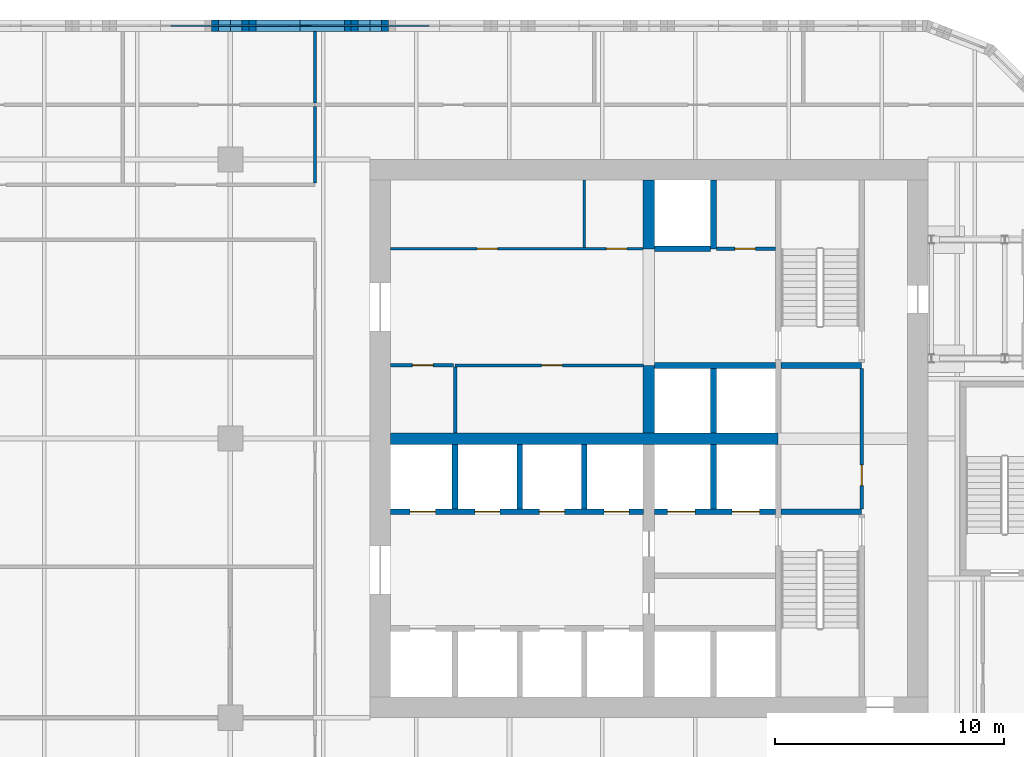
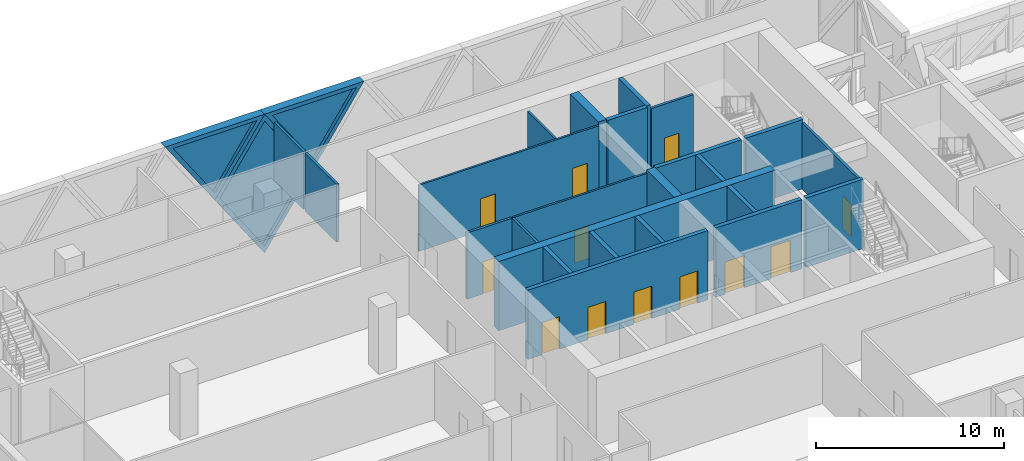
# One storey, part 17 of 30: 27 walls, 12 doors, 3 plates, 15 openings.
"""IFC4 building model written with IfcOpenShell, lengths in metres."""

from ifc_helpers import new_model, si_unit, direction, frame, frame_2d, origin, place, context, subcontext, project, spatial, polyline, rectangle, outline, extrude, faceted_brep, source, transform, mapped, material, layer, layer_set, type_object, element, fill, save


model = new_model("IFC4")

# Units and contexts
model_context = context("Model", 3, precision=1e-05, world=origin(), true_north=direction((0.0, 1.0)))
body_context = subcontext(model_context, "Body", "Model", "MODEL_VIEW")
ifc_project = project(units=[si_unit("LENGTHUNIT", "METRE"), si_unit("AREAUNIT", "SQUARE_METRE"), si_unit("VOLUMEUNIT", "CUBIC_METRE"), si_unit("PLANEANGLEUNIT", "RADIAN"), si_unit("MASSUNIT", "GRAM", prefix="KILO")], contexts=[model_context])

# Site, building, storey
site_placement = place(None, origin())
site = spatial("IfcSite", under=ifc_project, at=site_placement, CompositionType="ELEMENT")
building_placement = place(site_placement, origin())
building = spatial("IfcBuilding", under=site, at=building_placement, Name="Tessera Gate Towers", CompositionType="ELEMENT")
storey_placement = place(building_placement, frame((0.0, 0.0, 21.300048828125)))
storey = spatial("IfcBuildingStorey", under=building, at=storey_placement, Name="L04", CompositionType="ELEMENT", Elevation=21.300048828125)

# Wall, openings, doors
ifc_material_1 = material(Name="Concrete C40/50", Category="concrete")
ifc_layer_1 = layer(ifc_material_1, 0.25)
ifc_layer_set_1 = layer_set([ifc_layer_1], Name="CORE ENCLOSURE WALL 250")
wall_type_1 = type_object("IfcWallType", Name="CORE ENCLOSURE WALL 250", PredefinedType="SOLIDWALL", material=ifc_layer_set_1)
wall_1_placement = place(storey_placement, frame((42.449951171875, 33.39990234375, 0.0), z_axis=(0.0, 0.0, 1.0), x_axis=(-1.0, 0.0, 0.0)))
wall_1 = element("IfcWall", 1, at=wall_1_placement, inside=storey, type_object=wall_type_1, Name="L04 shaft and stair enclosure wall", PredefinedType="SOLIDWALL", context=body_context, shape_type="SweptSolid", body=[
    extrude(rectangle(XDim=11.050048828125, YDim=0.25, at=frame_2d((5.52490234375, 0.0))), origin(), (0.0, 0.0, 1.0), 4.5),
])
shared_shape_1 = source(origin(), body_context, "Body", "SweptSolid", [
    extrude(rectangle(XDim=1.10009765625, YDim=2.10009765625, at=frame_2d((0.550048828125, 1.050048828125))), frame((0.0, 0.135009765625, 0.0), z_axis=(0.0, -1.0, 0.0), x_axis=(1.0, 0.0, 0.0)), (0.0, 0.0, 1.0), 0.27001953125),
])
opening_1_placement = place(wall_1_placement, frame((9.08740234375, 0.0, 0.0)))
opening_1 = element("IfcOpeningElement", 2, at=opening_1_placement, cuts=wall_1, Name="Opening LD-LR5", PredefinedType="OPENING", context=body_context, shape_type="MappedRepresentation", body=[
    mapped(shared_shape_1, transform((0.0, 0.0, 0.0), scale=1.0)),
])
opening_2_placement = place(wall_1_placement, frame((6.262451171875, 0.0, 0.0)))
opening_2 = element("IfcOpeningElement", 3, at=opening_2_placement, cuts=wall_1, Name="Opening LD-LR6", PredefinedType="OPENING", context=body_context, shape_type="MappedRepresentation", body=[
    mapped(shared_shape_1, transform((0.0, 0.0, 0.0), scale=1.0)),
])
opening_3_placement = place(wall_1_placement, frame((3.4375, 0.0, 0.0)))
opening_3 = element("IfcOpeningElement", 4, at=opening_3_placement, cuts=wall_1, Name="Opening LD-LR7", PredefinedType="OPENING", context=body_context, shape_type="MappedRepresentation", body=[
    mapped(shared_shape_1, transform((0.0, 0.0, 0.0), scale=1.0)),
])
opening_4_placement = place(wall_1_placement, frame((0.612548828125, 0.0, 0.0)))
opening_4 = element("IfcOpeningElement", 5, at=opening_4_placement, cuts=wall_1, Name="Opening LD-LR8", PredefinedType="OPENING", context=body_context, shape_type="MappedRepresentation", body=[
    mapped(shared_shape_1, transform((0.0, 0.0, 0.0), scale=1.0)),
])
ifc_material_2 = material(Name="Stainless steel", Category="steel")
door_type_1 = type_object("IfcDoorType", Name="CORE DOOR LD 1100x2100", OperationType="DOUBLE_DOOR_SLIDING", PredefinedType="DOOR", material=ifc_material_2)
shared_shape_2 = source(origin(), body_context, "Body", "SweptSolid", [
    extrude(rectangle(XDim=1.10009765625, YDim=2.10009765625, at=frame_2d((0.550048828125, 1.050048828125))), frame((0.0, 0.02490234375, 0.0), z_axis=(0.0, -1.0, 0.0), x_axis=(1.0, 0.0, 0.0)), (0.0, 0.0, 1.0), 0.050048828125),
])
door_1_placement = place(opening_1_placement, origin())
door_1 = element("IfcDoor", 6, at=door_1_placement, inside=storey, type_object=door_type_1, Name="Landing door LR5 L04", OperationType="DOUBLE_DOOR_SLIDING", OverallHeight=2.10009765625, OverallWidth=1.10009765625, PredefinedType="DOOR", context=body_context, shape_type="MappedRepresentation", body=[
    mapped(shared_shape_2, transform((0.0, 0.0, 0.0), scale=1.0)),
])
fill(opening_1, door_1)
door_2_placement = place(opening_2_placement, origin())
door_2 = element("IfcDoor", 7, at=door_2_placement, inside=storey, type_object=door_type_1, Name="Landing door LR6 L04", OperationType="DOUBLE_DOOR_SLIDING", OverallHeight=2.10009765625, OverallWidth=1.10009765625, PredefinedType="DOOR", context=body_context, shape_type="MappedRepresentation", body=[
    mapped(shared_shape_2, transform((0.0, 0.0, 0.0), scale=1.0)),
])
fill(opening_2, door_2)
door_3_placement = place(opening_3_placement, origin())
door_3 = element("IfcDoor", 8, at=door_3_placement, inside=storey, type_object=door_type_1, Name="Landing door LR7 L04", OperationType="DOUBLE_DOOR_SLIDING", OverallHeight=2.10009765625, OverallWidth=1.10009765625, PredefinedType="DOOR", context=body_context, shape_type="MappedRepresentation", body=[
    mapped(shared_shape_2, transform((0.0, 0.0, 0.0), scale=1.0)),
])
fill(opening_3, door_3)
door_4_placement = place(opening_4_placement, origin())
door_4 = element("IfcDoor", 9, at=door_4_placement, inside=storey, type_object=door_type_1, Name="Landing door LR8 L04", OperationType="DOUBLE_DOOR_SLIDING", OverallHeight=2.10009765625, OverallWidth=1.10009765625, PredefinedType="DOOR", context=body_context, shape_type="MappedRepresentation", body=[
    mapped(shared_shape_2, transform((0.0, 0.0, 0.0), scale=1.0)),
])
fill(opening_4, door_4)

wall_2_placement = place(storey_placement, frame((48.22509765625, 33.39990234375, 0.0), z_axis=(0.0, 0.0, 1.0), x_axis=(-1.0, 0.0, 0.0)))
wall_2 = element("IfcWall", 10, at=wall_2_placement, inside=storey, type_object=wall_type_1, Name="L04 shaft and stair enclosure wall", PredefinedType="SOLIDWALL", context=body_context, shape_type="SweptSolid", body=[
    extrude(rectangle(XDim=5.275146484375, YDim=0.25, at=frame_2d((2.6376953125, 0.0))), origin(), (0.0, 0.0, 1.0), 4.5),
])
shared_shape_3 = source(origin(), body_context, "Body", "SweptSolid", [
    extrude(rectangle(XDim=1.199951171875, YDim=2.10009765625, at=frame_2d((0.60009765625, 1.050048828125))), frame((0.0, 0.135009765625, 0.0), z_axis=(0.0, -1.0, 0.0), x_axis=(1.0, 0.0, 0.0)), (0.0, 0.0, 1.0), 0.27001953125),
])
opening_5_placement = place(wall_2_placement, frame((3.512451171875, 0.0, 0.0)))
opening_5 = element("IfcOpeningElement", 11, at=opening_5_placement, cuts=wall_2, Name="Opening LD-FF1", PredefinedType="OPENING", context=body_context, shape_type="MappedRepresentation", body=[
    mapped(shared_shape_3, transform((0.0, 0.0, 0.0), scale=1.0)),
])
opening_6_placement = place(wall_2_placement, frame((0.6875, 0.0, 0.0)))
opening_6 = element("IfcOpeningElement", 12, at=opening_6_placement, cuts=wall_2, Name="Opening LD-FF2", PredefinedType="OPENING", context=body_context, shape_type="MappedRepresentation", body=[
    mapped(shared_shape_3, transform((0.0, 0.0, 0.0), scale=1.0)),
])
ifc_material_3 = material(Name="Stainless steel", Category="steel")
door_type_2 = type_object("IfcDoorType", Name="CORE DOOR LD1200 1200x2100", OperationType="DOUBLE_DOOR_SLIDING", PredefinedType="DOOR", material=ifc_material_3)
shared_shape_4 = source(origin(), body_context, "Body", "SweptSolid", [
    extrude(rectangle(XDim=1.199951171875, YDim=2.10009765625, at=frame_2d((0.60009765625, 1.050048828125))), frame((0.0, 0.02490234375, 0.0), z_axis=(0.0, -1.0, 0.0), x_axis=(1.0, 0.0, 0.0)), (0.0, 0.0, 1.0), 0.050048828125),
])
door_5_placement = place(opening_5_placement, origin())
door_5 = element("IfcDoor", 13, at=door_5_placement, inside=storey, type_object=door_type_2, Name="Landing door FF1 L04", OperationType="DOUBLE_DOOR_SLIDING", OverallHeight=2.10009765625, OverallWidth=1.199951171875, PredefinedType="DOOR", context=body_context, shape_type="MappedRepresentation", body=[
    mapped(shared_shape_4, transform((0.0, 0.0, 0.0), scale=1.0)),
])
fill(opening_5, door_5)
door_6_placement = place(opening_6_placement, origin())
door_6 = element("IfcDoor", 14, at=door_6_placement, inside=storey, type_object=door_type_2, Name="Landing door FF2 L04", OperationType="DOUBLE_DOOR_SLIDING", OverallHeight=2.10009765625, OverallWidth=1.199951171875, PredefinedType="DOOR", context=body_context, shape_type="MappedRepresentation", body=[
    mapped(shared_shape_4, transform((0.0, 0.0, 0.0), scale=1.0)),
])
fill(opening_6, door_6)

# Walls
wall_3_placement = place(storey_placement, frame((48.47509765625, 33.39990234375, 0.0), z_axis=(0.0, 0.0, 1.0), x_axis=(1.0, 0.0, 0.0)))
element("IfcWall", 15, at=wall_3_placement, inside=storey, type_object=wall_type_1, Name="L04 shaft and stair enclosure wall", PredefinedType="SOLIDWALL", context=body_context, shape_type="SweptSolid", body=[
    extrude(rectangle(XDim=3.52490234375, YDim=0.25, at=frame_2d((1.762451171875, 0.0))), origin(), (0.0, 0.0, 1.0), 4.5),
])
wall_4_placement = place(storey_placement, frame((42.949951171875, 39.800048828125, 0.0), z_axis=(0.0, 0.0, 1.0), x_axis=(1.0, 0.0, 0.0)))
element("IfcWall", 16, at=wall_4_placement, inside=storey, type_object=wall_type_1, Name="L04 shaft and stair enclosure wall", PredefinedType="SOLIDWALL", context=body_context, shape_type="SweptSolid", body=[
    extrude(rectangle(XDim=5.275146484375, YDim=0.25, at=frame_2d((2.6376953125, 0.0))), origin(), (0.0, 0.0, 1.0), 4.5),
])
wall_5_placement = place(storey_placement, frame((48.47509765625, 39.800048828125, 0.0), z_axis=(0.0, 0.0, 1.0), x_axis=(1.0, 0.0, 0.0)))
element("IfcWall", 17, at=wall_5_placement, inside=storey, type_object=wall_type_1, Name="L04 shaft and stair enclosure wall", PredefinedType="SOLIDWALL", context=body_context, shape_type="SweptSolid", body=[
    extrude(rectangle(XDim=3.52490234375, YDim=0.25, at=frame_2d((1.762451171875, 0.0))), origin(), (0.0, 0.0, 1.0), 4.5),
])
wall_6_placement = place(storey_placement, frame((45.52490234375, 33.52490234375, 0.0), z_axis=(0.0, 0.0, 1.0), x_axis=(0.0, 1.0, 0.0)))
element("IfcWall", 18, at=wall_6_placement, inside=storey, type_object=wall_type_1, Name="L04 shaft and stair enclosure wall", PredefinedType="SOLIDWALL", context=body_context, shape_type="SweptSolid", body=[
    extrude(rectangle(XDim=2.8251953125, YDim=0.25, at=frame_2d((1.41259765625, 0.0))), origin(), (0.0, 0.0, 1.0), 4.5),
])
wall_7_placement = place(storey_placement, frame((45.52490234375, 36.85009765625, 0.0), z_axis=(0.0, 0.0, 1.0), x_axis=(0.0, 1.0, 0.0)))
element("IfcWall", 19, at=wall_7_placement, inside=storey, type_object=wall_type_1, Name="L04 shaft and stair enclosure wall", PredefinedType="SOLIDWALL", context=body_context, shape_type="SweptSolid", body=[
    extrude(rectangle(XDim=2.824951171875, YDim=0.25, at=frame_2d((1.41259765625, 0.0))), origin(), (0.0, 0.0, 1.0), 4.5),
])
for number, where, z_axis, x_axis, name in (
    (20, (34.22509765625, 33.52490234375, 0.0), (0.0, 0.0, 1.0), (0.0, 1.0, 0.0), "L04 shaft and stair enclosure wall"),
    (21, (37.050048828125, 33.52490234375, 0.0), (0.0, 0.0, 1.0), (0.0, 1.0, 0.0), "L04 shaft and stair enclosure wall"),
    (22, (39.875, 33.52490234375, 0.0), (0.0, 0.0, 1.0), (0.0, 1.0, 0.0), "L04 shaft and stair enclosure wall"),
):
    element("IfcWall", number, at=place(storey_placement, frame(where, z_axis=z_axis, x_axis=x_axis)), inside=storey, type_object=wall_type_1, Name=name, PredefinedType="SOLIDWALL", context=body_context, shape_type="SweptSolid", body=[
        extrude(rectangle(XDim=2.8251953125, YDim=0.25, at=frame_2d((1.41259765625, 0.0))), origin(), (0.0, 0.0, 1.0), 4.5),
    ])
wall_8_placement = place(storey_placement, frame((45.52490234375, 44.89990234375, 0.0), z_axis=(0.0, 0.0, 1.0), x_axis=(0.0, 1.0, 0.0)))
element("IfcWall", 23, at=wall_8_placement, inside=storey, type_object=wall_type_1, Name="L04 shaft and stair enclosure wall", PredefinedType="SOLIDWALL", context=body_context, shape_type="SweptSolid", body=[
    extrude(rectangle(XDim=3.0, YDim=0.25, at=frame_2d((1.5, 0.0))), origin(), (0.0, 0.0, 1.0), 4.5),
])
wall_9_placement = place(storey_placement, frame((42.949951171875, 44.89990234375, 0.0), z_axis=(0.0, 0.0, 1.0), x_axis=(1.0, 0.0, 0.0)))
element("IfcWall", 24, at=wall_9_placement, inside=storey, type_object=wall_type_1, Name="L04 shaft and stair enclosure wall", PredefinedType="SOLIDWALL", context=body_context, shape_type="SweptSolid", body=[
    extrude(rectangle(XDim=2.449951171875, YDim=0.25, at=frame_2d((1.22509765625, 0.0))), origin(), (0.0, 0.0, 1.0), 4.5),
])

# Wall, openings, doors
ifc_material_4 = material(Name="Gypsum board on steel studs", Category="steel")
ifc_layer_2 = layer(ifc_material_4, 0.1201171875)
ifc_layer_set_2 = layer_set([ifc_layer_2], Name="CORE PARTITION 120")
wall_type_2 = type_object("IfcWallType", Name="CORE PARTITION 120", PredefinedType="PARTITIONING", material=ifc_layer_set_2)
wall_10_placement = place(storey_placement, frame((31.39990234375, 44.89990234375, 0.0), z_axis=(0.0, 0.0, 1.0), x_axis=(1.0, 0.0, 0.0)))
wall_10 = element("IfcWall", 25, at=wall_10_placement, inside=storey, type_object=wall_type_2, Name="L04 core partition", PredefinedType="PARTITIONING", context=body_context, shape_type="SweptSolid", body=[
    extrude(rectangle(XDim=11.050048828125, YDim=0.1201171875, at=frame_2d((5.52490234375, 0.0))), origin(), (0.0, 0.0, 1.0), 4.300048828125),
])
shared_shape_5 = source(origin(), body_context, "Body", "SweptSolid", [
    extrude(rectangle(XDim=0.89990234375, YDim=2.10009765625, at=frame_2d((0.449951171875, 1.050048828125))), frame((0.0, 0.070068359375, 0.0), z_axis=(0.0, -1.0, 0.0), x_axis=(1.0, 0.0, 0.0)), (0.0, 0.0, 1.0), 0.14013671875),
])
opening_7_placement = place(wall_10_placement, frame((3.78759765625, 0.0, 0.0)))
opening_7 = element("IfcOpeningElement", 26, at=opening_7_placement, cuts=wall_10, Name="Opening RD-T1-05-07", PredefinedType="OPENING", context=body_context, shape_type="MappedRepresentation", body=[
    mapped(shared_shape_5, transform((0.0, 0.0, 0.0), scale=1.0)),
])
opening_8_placement = place(wall_10_placement, frame((9.4375, 0.0, 0.0)))
opening_8 = element("IfcOpeningElement", 27, at=opening_8_placement, cuts=wall_10, Name="Opening RD-T1-05-08", PredefinedType="OPENING", context=body_context, shape_type="MappedRepresentation", body=[
    mapped(shared_shape_5, transform((0.0, 0.0, 0.0), scale=1.0)),
])
ifc_material_5 = material(Name="Hollow steel fire door", Category="steel")
door_type_3 = type_object("IfcDoorType", Name="CORE DOOR RD 900x2100", OperationType="NOTDEFINED", PredefinedType="DOOR", material=ifc_material_5)
shared_shape_6 = source(origin(), body_context, "Body", "SweptSolid", [
    extrude(rectangle(XDim=0.89990234375, YDim=2.10009765625, at=frame_2d((0.449951171875, 1.050048828125))), frame((0.0, 0.02490234375, 0.0), z_axis=(0.0, -1.0, 0.0), x_axis=(1.0, 0.0, 0.0)), (0.0, 0.0, 1.0), 0.050048828125),
])
door_7_placement = place(opening_7_placement, origin())
door_7 = element("IfcDoor", 28, at=door_7_placement, inside=storey, type_object=door_type_3, Name="Core room door", OperationType="SINGLE_SWING_LEFT", OverallHeight=2.10009765625, OverallWidth=0.89990234375, PredefinedType="DOOR", context=body_context, shape_type="MappedRepresentation", body=[
    mapped(shared_shape_6, transform((0.0, 0.0, 0.0), scale=1.0)),
])
fill(opening_7, door_7)
door_8_placement = place(opening_8_placement, origin())
door_8 = element("IfcDoor", 29, at=door_8_placement, inside=storey, type_object=door_type_3, Name="Core room door", OperationType="SINGLE_SWING_RIGHT", OverallHeight=2.10009765625, OverallWidth=0.89990234375, PredefinedType="DOOR", context=body_context, shape_type="MappedRepresentation", body=[
    mapped(shared_shape_6, transform((0.0, 0.0, 0.0), scale=1.0)),
])
fill(opening_8, door_8)

# Wall, opening, door
wall_11_placement = place(storey_placement, frame((42.449951171875, 39.800048828125, 0.0), z_axis=(0.0, 0.0, 1.0), x_axis=(-1.0, 0.0, 0.0)))
wall_11 = element("IfcWall", 30, at=wall_11_placement, inside=storey, type_object=wall_type_2, Name="L04 core partition", PredefinedType="PARTITIONING", context=body_context, shape_type="SweptSolid", body=[
    extrude(rectangle(XDim=8.224853515625, YDim=0.1201171875, at=frame_2d((4.1123046875, 0.0))), origin(), (0.0, 0.0, 1.0), 4.300048828125),
])
opening_9_placement = place(wall_11_placement, frame((3.53759765625, 0.0, 0.0)))
opening_9 = element("IfcOpeningElement", 31, at=opening_9_placement, cuts=wall_11, Name="Opening RD-T1-05-09", PredefinedType="OPENING", context=body_context, shape_type="MappedRepresentation", body=[
    mapped(shared_shape_5, transform((0.0, 0.0, 0.0), scale=1.0)),
])
door_9_placement = place(opening_9_placement, origin())
door_9 = element("IfcDoor", 32, at=door_9_placement, inside=storey, type_object=door_type_3, Name="Core room door", OperationType="SINGLE_SWING_LEFT", OverallHeight=2.10009765625, OverallWidth=0.89990234375, PredefinedType="DOOR", context=body_context, shape_type="MappedRepresentation", body=[
    mapped(shared_shape_6, transform((0.0, 0.0, 0.0), scale=1.0)),
])
fill(opening_9, door_9)

# Walls
wall_12_placement = place(storey_placement, frame((39.875, 44.9599609375, 0.0), z_axis=(0.0, 0.0, 1.0), x_axis=(0.0, 1.0, 0.0)))
element("IfcWall", 33, at=wall_12_placement, inside=storey, type_object=wall_type_2, Name="L04 core partition", PredefinedType="PARTITIONING", context=body_context, shape_type="SweptSolid", body=[
    extrude(rectangle(XDim=2.93994140625, YDim=0.1201171875, at=frame_2d((1.469970703125, 0.0))), origin(), (0.0, 0.0, 1.0), 4.300048828125),
])
ifc_material_6 = material(Name="Concrete C70/85", Category="concrete")
ifc_layer_3 = layer(ifc_material_6, 0.5)
ifc_layer_set_3 = layer_set([ifc_layer_3], Name="CORE SPINE WALL 500 C70/85")
wall_type_3 = type_object("IfcWallType", Name="CORE SPINE WALL 500 C70/85", PredefinedType="SHEAR", material=ifc_layer_set_3)
wall_13_placement = place(storey_placement, frame((31.39990234375, 36.60009765625, 0.0), z_axis=(0.0, 0.0, 1.0), x_axis=(1.0, 0.0, 0.0)))
element("IfcWall", 34, at=wall_13_placement, inside=storey, type_object=wall_type_3, Name="Core wall spine L04", PredefinedType="SHEAR", context=body_context, shape_type="SweptSolid", body=[
    extrude(rectangle(XDim=16.9501953125, YDim=0.5, at=frame_2d((8.47509765625, 0.0))), origin(), (0.0, 0.0, 1.0), 4.5),
])
wall_14_placement = place(storey_placement, frame((42.699951171875, 36.85009765625, 0.0), z_axis=(0.0, 0.0, 1.0), x_axis=(0.0, 1.0, 0.0)))
element("IfcWall", 35, at=wall_14_placement, inside=storey, type_object=wall_type_3, Name="Core wall spine L04", PredefinedType="SHEAR", context=body_context, shape_type="SweptSolid", body=[
    extrude(rectangle(XDim=2.949951171875, YDim=0.5, at=frame_2d((1.47509765625, 0.0))), origin(), (0.0, 0.0, 1.0), 4.5),
])
wall_15_placement = place(storey_placement, frame((42.699951171875, 44.89990234375, 0.0), z_axis=(0.0, 0.0, 1.0), x_axis=(0.0, 1.0, 0.0)))
element("IfcWall", 36, at=wall_15_placement, inside=storey, type_object=wall_type_3, Name="Core wall spine L04", PredefinedType="SHEAR", context=body_context, shape_type="SweptSolid", body=[
    extrude(rectangle(XDim=3.0, YDim=0.5, at=frame_2d((1.5, 0.0))), origin(), (0.0, 0.0, 1.0), 4.5),
])
ifc_material_7 = material(Name="Gypsum board on steel studs, mineral wool", Category="steel")
ifc_layer_4 = layer(ifc_material_7, 0.14990234375)
ifc_layer_set_4 = layer_set([ifc_layer_4], Name="CORRIDOR WALL 150")
wall_type_4 = type_object("IfcWallType", Name="CORRIDOR WALL 150", PredefinedType="PARTITIONING", material=ifc_layer_set_4)
wall_16_placement = place(storey_placement, frame((28.10009765625, 47.77587890625, 0.0), z_axis=(0.0, 0.0, 1.0), x_axis=(0.0, 1.0, 0.0)))
element("IfcWall", 37, at=wall_16_placement, inside=storey, type_object=wall_type_4, Name="T1-L04-PW-044", PredefinedType="PARTITIONING", context=body_context, shape_type="SweptSolid", body=[
    extrude(rectangle(XDim=3.34814453125, YDim=0.14990234375, at=frame_2d((1.674072265625, 0.0))), origin(), (0.0, 0.0, 1.0), 3.766845703125),
])

# Wall, opening, door
ifc_material_8 = material(Name="Gypsum board on steel studs", Category="steel")
ifc_layer_5 = layer(ifc_material_8, 0.14990234375)
ifc_layer_set_5 = layer_set([ifc_layer_5], Name="SERVICE ROOM WALL 150")
wall_type_5 = type_object("IfcWallType", Name="SERVICE ROOM WALL 150", PredefinedType="PARTITIONING", material=ifc_layer_set_5)
wall_17_placement = place(storey_placement, frame((52.0, 33.52490234375, 0.0), z_axis=(0.0, 0.0, 1.0), x_axis=(0.0, 1.0, 0.0)))
wall_17 = element("IfcWall", 38, at=wall_17_placement, inside=storey, type_object=wall_type_5, Name="L04 service room wall", PredefinedType="PARTITIONING", context=body_context, shape_type="SweptSolid", body=[
    extrude(rectangle(XDim=6.150146484375, YDim=0.14990234375, at=frame_2d((3.0751953125, 0.0))), origin(), (0.0, 0.0, 1.0), 4.300048828125),
])
shared_shape_7 = source(origin(), body_context, "Body", "SweptSolid", [
    extrude(rectangle(XDim=0.89990234375, YDim=2.10009765625, at=frame_2d((0.449951171875, 1.050048828125))), frame((0.0, 0.0849609375, 0.0), z_axis=(0.0, -1.0, 0.0), x_axis=(1.0, 0.0, 0.0)), (0.0, 0.0, 1.0), 0.169921875),
])
opening_10_placement = place(wall_17_placement, frame((1.02490234375, 0.0, 0.0)))
opening_10 = element("IfcOpeningElement", 39, at=opening_10_placement, cuts=wall_17, Name="Opening RD-T1-05-10", PredefinedType="OPENING", context=body_context, shape_type="MappedRepresentation", body=[
    mapped(shared_shape_7, transform((0.0, 0.0, 0.0), scale=1.0)),
])
door_10_placement = place(opening_10_placement, origin())
door_10 = element("IfcDoor", 40, at=door_10_placement, inside=storey, type_object=door_type_3, Name="Core room door", OperationType="SINGLE_SWING_LEFT", OverallHeight=2.10009765625, OverallWidth=0.89990234375, PredefinedType="DOOR", context=body_context, shape_type="MappedRepresentation", body=[
    mapped(shared_shape_6, transform((0.0, 0.0, 0.0), scale=1.0)),
])
fill(opening_10, door_10)

# Wall
wall_18_placement = place(storey_placement, frame((34.22509765625, 36.85009765625, 0.0), z_axis=(0.0, 0.0, 1.0), x_axis=(0.0, 1.0, 0.0)))
element("IfcWall", 41, at=wall_18_placement, inside=storey, type_object=wall_type_5, Name="L04 service room wall", PredefinedType="PARTITIONING", context=body_context, shape_type="SweptSolid", body=[
    extrude(rectangle(XDim=2.889892578125, YDim=0.14990234375, at=frame_2d((1.44482421875, 0.0))), origin(), (0.0, 0.0, 1.0), 4.300048828125),
])

# Wall, opening, door
wall_19_placement = place(storey_placement, frame((45.64990234375, 44.89990234375, 0.0), z_axis=(0.0, 0.0, 1.0), x_axis=(1.0, 0.0, 0.0)))
wall_19 = element("IfcWall", 42, at=wall_19_placement, inside=storey, type_object=wall_type_5, Name="L04 service room wall", PredefinedType="PARTITIONING", context=body_context, shape_type="SweptSolid", body=[
    extrude(rectangle(XDim=2.5751953125, YDim=0.14990234375, at=frame_2d((1.28759765625, 0.0))), origin(), (0.0, 0.0, 1.0), 4.300048828125),
])
opening_11_placement = place(wall_19_placement, frame((0.800048828125, 0.0, 0.0)))
opening_11 = element("IfcOpeningElement", 43, at=opening_11_placement, cuts=wall_19, Name="Opening RD-T1-05-11", PredefinedType="OPENING", context=body_context, shape_type="MappedRepresentation", body=[
    mapped(shared_shape_7, transform((0.0, 0.0, 0.0), scale=1.0)),
])
door_11_placement = place(opening_11_placement, origin())
door_11 = element("IfcDoor", 44, at=door_11_placement, inside=storey, type_object=door_type_3, Name="Core room door", OperationType="SINGLE_SWING_LEFT", OverallHeight=2.10009765625, OverallWidth=0.89990234375, PredefinedType="DOOR", context=body_context, shape_type="MappedRepresentation", body=[
    mapped(shared_shape_6, transform((0.0, 0.0, 0.0), scale=1.0)),
])
fill(opening_11, door_11)

wall_20_placement = place(storey_placement, frame((34.14990234375, 39.800048828125, 0.0), z_axis=(0.0, 0.0, 1.0), x_axis=(-1.0, 0.0, 0.0)))
wall_20 = element("IfcWall", 45, at=wall_20_placement, inside=storey, type_object=wall_type_5, Name="L04 service room wall", PredefinedType="PARTITIONING", context=body_context, shape_type="SweptSolid", body=[
    extrude(rectangle(XDim=2.75, YDim=0.14990234375, at=frame_2d((1.375, 0.0))), origin(), (0.0, 0.0, 1.0), 4.300048828125),
])
opening_12_placement = place(wall_20_placement, frame((0.887451171875, 0.0, 0.0)))
opening_12 = element("IfcOpeningElement", 46, at=opening_12_placement, cuts=wall_20, Name="Opening RD-T1-05-12", PredefinedType="OPENING", context=body_context, shape_type="MappedRepresentation", body=[
    mapped(shared_shape_7, transform((0.0, 0.0, 0.0), scale=1.0)),
])
door_12_placement = place(opening_12_placement, origin())
door_12 = element("IfcDoor", 47, at=door_12_placement, inside=storey, type_object=door_type_3, Name="Core room door", OperationType="SINGLE_SWING_LEFT", OverallHeight=2.10009765625, OverallWidth=0.89990234375, PredefinedType="DOOR", context=body_context, shape_type="MappedRepresentation", body=[
    mapped(shared_shape_6, transform((0.0, 0.0, 0.0), scale=1.0)),
])
fill(opening_12, door_12)

# Wall
ifc_material_9 = material(Name="Gypsum board on steel studs, mineral wool", Category="steel")
ifc_layer_6 = layer(ifc_material_9, 0.14990234375)
ifc_layer_set_6 = layer_set([ifc_layer_6], Name="TENANCY WALL 150")
wall_type_6 = type_object("IfcWallType", Name="TENANCY WALL 150", PredefinedType="PARTITIONING", material=ifc_layer_set_6)
wall_21_placement = place(storey_placement, frame((28.10009765625, 51.27587890625, 0.0), z_axis=(0.0, 0.0, 1.0), x_axis=(0.0, 1.0, 0.0)))
element("IfcWall", 48, at=wall_21_placement, inside=storey, type_object=wall_type_6, Name="T1-L04-PW-049", PredefinedType="PARTITIONING", context=body_context, shape_type="SweptSolid", body=[
    extrude(rectangle(XDim=3.1240234375, YDim=0.14990234375, at=frame_2d((1.56201171875, 0.0))), origin(), (0.0, 0.0, 1.0), 3.766845703125),
])

# Wall, opening, plate
ifc_material_10 = material(Name="Precast concrete C60/75 white", Category="concrete")
ifc_layer_7 = layer(ifc_material_10, 0.5)
ifc_layer_set_7 = layer_set([ifc_layer_7], Name="TS1 tessera")
wall_type_7 = type_object("IfcWallType", Name="TS1 tessera", PredefinedType="SOLIDWALL", material=ifc_layer_set_7)
shared_shape_8 = source(origin(), body_context, "Body", "SweptSolid", [
    extrude(outline(polyline([(3.050048828125, 0.0), (6.10009765625, 4.5), (3.050048828125, 9.0), (0.0, 4.5), (3.050048828125, 0.0)])), frame((0.0, 0.25, 0.0), z_axis=(0.0, -1.0, 0.0), x_axis=(1.0, 0.0, 0.0)), (0.0, 0.0, 1.0), 0.5),
])
wall_22_placement = place(storey_placement, frame((30.5, 54.64990234375, -4.5), z_axis=(0.0, 0.0, 1.0), x_axis=(-1.0, 0.0, 0.0)))
wall_22 = element("IfcWall", 49, at=wall_22_placement, inside=storey, type_object=wall_type_7, Name="Precast tessera T1 TS1-0014", PredefinedType="SOLIDWALL", context=body_context, shape_type="MappedRepresentation", body=[
    mapped(shared_shape_8, transform((0.0, 0.0, 0.0), scale=1.0)),
])
shared_shape_9 = source(origin(), body_context, "Body", "SweptSolid", [
    extrude(outline(polyline([(3.050048828125, 0.445556640625), (5.798095703125, 4.5), (3.050048828125, 8.554443359375), (0.302001953125, 4.5), (3.050048828125, 0.445556640625)])), frame((0.0, 0.260009765625, 0.0), z_axis=(0.0, -1.0, 0.0), x_axis=(1.0, 0.0, 0.0)), (0.0, 0.0, 1.0), 0.52001953125),
])
opening_13_placement = place(wall_22_placement, origin())
opening_13 = element("IfcOpeningElement", 50, at=opening_13_placement, cuts=wall_22, Name="Opening T1-PL2-0022", PredefinedType="OPENING", context=body_context, shape_type="MappedRepresentation", body=[
    mapped(shared_shape_9, transform((0.0, 0.0, 0.0), scale=1.0)),
])
ifc_material_11 = material(Name="Low-e laminated glass", Category="glass")
ifc_layer_8 = layer(ifc_material_11, 0.06005859375)
ifc_layer_set_8 = layer_set([ifc_layer_8], Name="PL2 rhombic pane")
plate_type_1 = type_object("IfcPlateType", Name="PL2 rhombic pane", PredefinedType="SHEET", material=ifc_layer_set_8)
shared_shape_10 = source(origin(), body_context, "Body", "SweptSolid", [
    extrude(outline(polyline([(3.050048828125, 0.445556640625), (5.798095703125, 4.5), (3.050048828125, 8.554443359375), (0.302001953125, 4.5), (3.050048828125, 0.445556640625)])), frame((0.0, 0.030029296875, 0.0), z_axis=(0.0, -1.0, 0.0), x_axis=(1.0, 0.0, 0.0)), (0.0, 0.0, 1.0), 0.06005859375),
])
plate_1_placement = place(opening_13_placement, origin())
plate_1 = element("IfcPlate", 51, at=plate_1_placement, inside=storey, type_object=plate_type_1, Name="Glass pane T1 PL2-0022", PredefinedType="SHEET", context=body_context, shape_type="MappedRepresentation", body=[
    mapped(shared_shape_10, transform((0.0, 0.0, 0.0), scale=1.0)),
])
fill(opening_13, plate_1)

ifc_material_12 = material(Name="Precast concrete C60/75 white", Category="concrete")
ifc_layer_9 = layer(ifc_material_12, 0.5)
ifc_layer_set_9 = layer_set([ifc_layer_9], Name="TS2 half tessera")
wall_type_8 = type_object("IfcWallType", Name="TS2 half tessera", PredefinedType="SOLIDWALL", material=ifc_layer_set_9)
shared_shape_11 = source(origin(), body_context, "Body", "Brep", [
    faceted_brep([(3.050048828125, -0.25, 0.0), (6.099853515625, -0.25, 4.499755859375), (6.099853515625, -0.25, 4.5), (0.0, -0.25, 4.5), (0.0, 0.25, 4.5), (6.099853515625, 0.25, 4.5), (6.099853515625, 0.25, 4.499755859375), (3.050048828125, 0.25, 0.0)], [[[0, 1, 2, 3]], [[4, 5, 6, 7]], [[7, 6, 1, 0]], [[5, 4, 3, 2]], [[4, 7, 0, 3]], [[1, 6, 5, 2]]]),
])
wall_23_placement = place(storey_placement, frame((27.449951171875, 54.64990234375, 0.0), z_axis=(0.0, 0.0, 1.0), x_axis=(-1.0, 0.0, 0.0)))
wall_23 = element("IfcWall", 52, at=wall_23_placement, inside=storey, type_object=wall_type_8, Name="Precast half tessera T1 TS2-0037", PredefinedType="SOLIDWALL", context=body_context, shape_type="MappedRepresentation", body=[
    mapped(shared_shape_11, transform((0.0, 0.0, 0.0), scale=1.0)),
])
shared_shape_12 = source(origin(), body_context, "Body", "SweptSolid", [
    extrude(outline(polyline([(3.050048828125, 0.445556640625), (5.628662109375, 4.25), (0.471435546875, 4.25), (3.050048828125, 0.445556640625)])), frame((0.0, 0.260009765625, 0.0), z_axis=(0.0, -1.0, 0.0), x_axis=(1.0, 0.0, 0.0)), (0.0, 0.0, 1.0), 0.52001953125),
])
opening_14_placement = place(wall_23_placement, origin())
opening_14 = element("IfcOpeningElement", 53, at=opening_14_placement, cuts=wall_23, Name="Opening T1-PL1-0071", PredefinedType="OPENING", context=body_context, shape_type="MappedRepresentation", body=[
    mapped(shared_shape_12, transform((0.0, 0.0, 0.0), scale=1.0)),
])
ifc_material_13 = material(Name="Low-e laminated glass", Category="glass")
ifc_layer_10 = layer(ifc_material_13, 0.06005859375)
ifc_layer_set_10 = layer_set([ifc_layer_10], Name="PL1 triangular pane")
plate_type_2 = type_object("IfcPlateType", Name="PL1 triangular pane", PredefinedType="SHEET", material=ifc_layer_set_10)
shared_shape_13 = source(origin(), body_context, "Body", "SweptSolid", [
    extrude(outline(polyline([(3.050048828125, 0.445556640625), (5.628662109375, 4.25), (0.471435546875, 4.25), (3.050048828125, 0.445556640625)])), frame((0.0, 0.030029296875, 0.0), z_axis=(0.0, -1.0, 0.0), x_axis=(1.0, 0.0, 0.0)), (0.0, 0.0, 1.0), 0.06005859375),
])
plate_2_placement = place(opening_14_placement, origin())
plate_2 = element("IfcPlate", 54, at=plate_2_placement, inside=storey, type_object=plate_type_2, Name="Glass pane T1 PL1-0071", PredefinedType="SHEET", context=body_context, shape_type="MappedRepresentation", body=[
    mapped(shared_shape_13, transform((0.0, 0.0, 0.0), scale=1.0)),
])
fill(opening_14, plate_2)

shared_shape_14 = source(origin(), body_context, "Body", "SweptSolid", [
    extrude(outline(polyline([(3.050048828125, 0.0), (6.10009765625, 4.5), (0.0, 4.5), (3.050048828125, 0.0)])), frame((0.0, 0.25, 0.0), z_axis=(0.0, -1.0, 0.0), x_axis=(1.0, 0.0, 0.0)), (0.0, 0.0, 1.0), 0.5),
])
wall_24_placement = place(storey_placement, frame((33.550048828125, 54.64990234375, 0.0), z_axis=(0.0, 0.0, 1.0), x_axis=(-1.0, 0.0, 0.0)))
wall_24 = element("IfcWall", 55, at=wall_24_placement, inside=storey, type_object=wall_type_8, Name="Precast half tessera T1 TS2-0036", PredefinedType="SOLIDWALL", context=body_context, shape_type="MappedRepresentation", body=[
    mapped(shared_shape_14, transform((0.0, 0.0, 0.0), scale=1.0)),
])
opening_15_placement = place(wall_24_placement, origin())
opening_15 = element("IfcOpeningElement", 56, at=opening_15_placement, cuts=wall_24, Name="Opening T1-PL1-0070", PredefinedType="OPENING", context=body_context, shape_type="MappedRepresentation", body=[
    mapped(shared_shape_12, transform((0.0, 0.0, 0.0), scale=1.0)),
])
plate_3_placement = place(opening_15_placement, origin())
plate_3 = element("IfcPlate", 57, at=plate_3_placement, inside=storey, type_object=plate_type_2, Name="Glass pane T1 PL1-0070", PredefinedType="SHEET", context=body_context, shape_type="MappedRepresentation", body=[
    mapped(shared_shape_13, transform((0.0, 0.0, 0.0), scale=1.0)),
])
fill(opening_15, plate_3)

save(model, "model.ifc")
